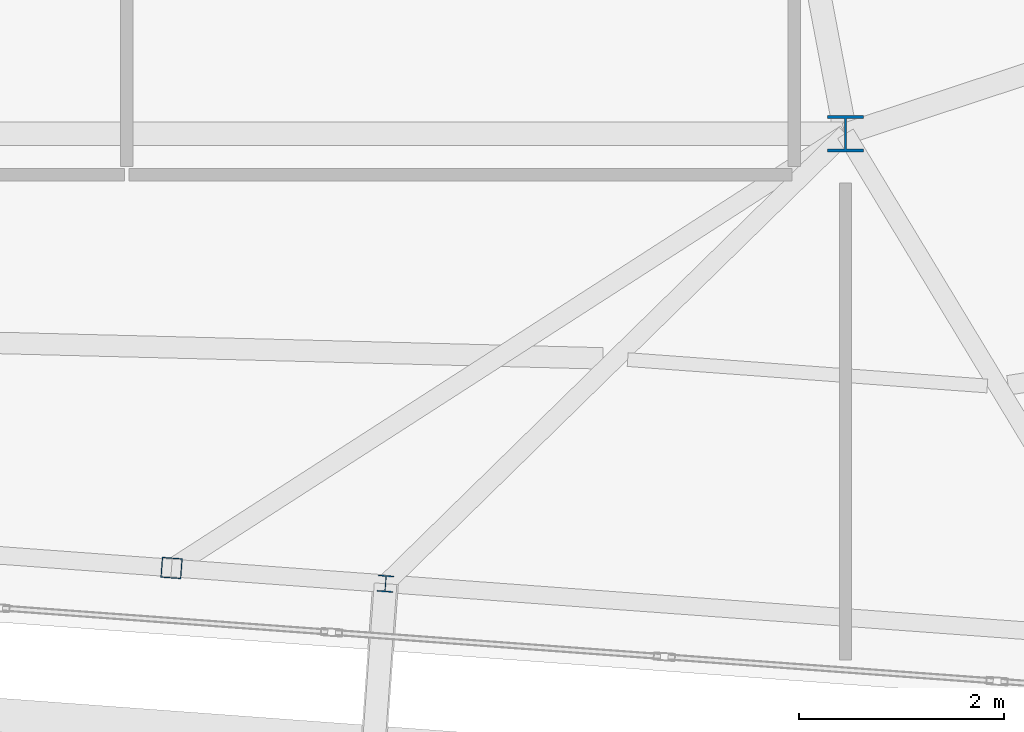
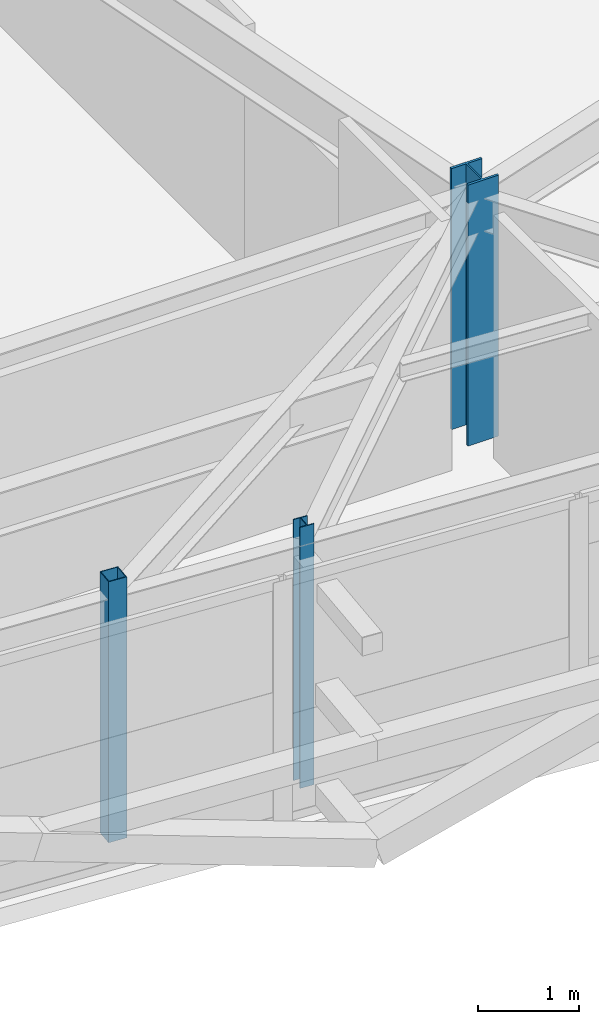
# One storey, part 2 of 42: 3 columns.
"""IFC4 building model written with IfcOpenShell, lengths in metres."""

from ifc_helpers import new_model, si_unit, direction, frame, origin, origin_2d, place, context, subcontext, project, spatial, hollow_rectangle, i_section, extrude, source, transform, mapped, material, material_profile, profile_set, type_object, element, save


model = new_model("IFC4")

# Units and contexts
model_context = context("Model", 3, precision=1e-05, world=origin(), true_north=direction((0.0, 1.0)))
body_context = subcontext(model_context, "Body", "Model", "MODEL_VIEW")
ifc_project = project(units=[si_unit("LENGTHUNIT", "METRE"), si_unit("AREAUNIT", "SQUARE_METRE"), si_unit("VOLUMEUNIT", "CUBIC_METRE"), si_unit("PLANEANGLEUNIT", "RADIAN"), si_unit("MASSUNIT", "GRAM", prefix="KILO")], contexts=[model_context])

# Site, building, storey
site_placement = place(None, origin())
site = spatial("IfcSite", under=ifc_project, at=site_placement, CompositionType="ELEMENT")
building_placement = place(site_placement, origin())
building = spatial("IfcBuilding", under=site, at=building_placement, Name="Taldren Reach Tower", CompositionType="ELEMENT")
storey_placement = place(building_placement, frame((0.0, 0.0, 214.550048828125)))
storey = spatial("IfcBuildingStorey", under=building, at=storey_placement, Name="L65", CompositionType="ELEMENT", Elevation=214.550048828125)

# Columns
ifc_material_1 = material(Name="Steel Gr 350 (350PLUS)", Category="steel")
ifc_material_profile_1 = material_profile(ifc_material_1, i_section(OverallWidth=0.35009765625, OverallDepth=0.35595703125, WebThickness=0.01806640625, FlangeThickness=0.028076171875, at=origin_2d()), Name="350WC197")
ifc_profile_set_1 = profile_set([ifc_material_profile_1], Name="Steel Gr 350 (350PLUS)")
column_type_1 = type_object("IfcColumnType", Name="COL-WC350", PredefinedType="COLUMN", material=ifc_profile_set_1)
shared_shape_1 = source(origin(), body_context, "Body", "SweptSolid", [
    extrude(i_section(OverallWidth=0.35009765625, OverallDepth=0.35595703125, WebThickness=0.01806640625, FlangeThickness=0.028076171875, at=origin_2d()), origin(), (0.0, 0.0, 1.0), 3.14990234375),
])
column_1_placement = place(storey_placement, frame((42.0, 9.199951171875, 0.0), z_axis=(0.0, 0.0, 1.0), x_axis=(1.0, 0.0, 0.0)))
element("IfcColumn", 1, at=column_1_placement, inside=storey, type_object=column_type_1, Name="Mega column MC-PJE L65", PredefinedType="COLUMN", context=body_context, shape_type="MappedRepresentation", body=[
    mapped(shared_shape_1, transform((0.0, 0.0, 0.0), scale=1.0)),
])
ifc_material_2 = material(Name="Steel Gr 350 (C350L0)", Category="steel")
ifc_material_profile_2 = material_profile(ifc_material_2, hollow_rectangle(XDim=0.199951171875, YDim=0.199951171875, WallThickness=0.009033203125, at=origin_2d()), Name="200x200x9.0SHS")
ifc_profile_set_2 = profile_set([ifc_material_profile_2], Name="Steel Gr 350 (C350L0)")
column_type_2 = type_object("IfcColumnType", Name="COL-SHS200", PredefinedType="COLUMN", material=ifc_profile_set_2)
shared_shape_2 = source(origin(), body_context, "Body", "SweptSolid", [
    extrude(hollow_rectangle(XDim=0.199951171875, YDim=0.199951171875, WallThickness=0.009033203125, at=origin_2d()), origin(), (0.0, 0.0, 1.0), 3.14990234375),
])
column_2_placement = place(storey_placement, frame((35.43603515625, 4.9697265625, 0.0), z_axis=(0.0, 0.0, 1.0), x_axis=(0.997314477224, -0.073238197128, 0.0)))
element("IfcColumn", 2, at=column_2_placement, inside=storey, type_object=column_type_2, Name="Block B5 perimeter column PJ2 L65", PredefinedType="COLUMN", context=body_context, shape_type="MappedRepresentation", body=[
    mapped(shared_shape_2, transform((0.0, 0.0, 0.0), scale=1.0)),
])
ifc_material_profile_3 = material_profile(ifc_material_1, i_section(OverallWidth=0.154052734375, OverallDepth=0.162109375, WebThickness=0.008056640625, FlangeThickness=0.011474609375, at=origin_2d()), Name="150UC37.2")
ifc_profile_set_3 = profile_set([ifc_material_profile_3], Name="Steel Gr 350 (350PLUS)")
column_type_3 = type_object("IfcColumnType", Name="COL-UC150", PredefinedType="COLUMN", material=ifc_profile_set_3)
shared_shape_3 = source(origin(), body_context, "Body", "SweptSolid", [
    extrude(i_section(OverallWidth=0.154052734375, OverallDepth=0.162109375, WebThickness=0.008056640625, FlangeThickness=0.011474609375, at=origin_2d()), origin(), (0.0, 0.0, 1.0), 3.14990234375),
])
column_3_placement = place(storey_placement, frame((37.5205078125, 4.81689453125, 0.0), z_axis=(0.0, 0.0, 1.0), x_axis=(0.997314477224, -0.073238197128, 0.0)))
element("IfcColumn", 3, at=column_3_placement, inside=storey, type_object=column_type_3, Name="Block B5 perimeter column S4 L65", PredefinedType="COLUMN", context=body_context, shape_type="MappedRepresentation", body=[
    mapped(shared_shape_3, transform((0.0, 0.0, 0.0), scale=1.0)),
])

save(model, "model.ifc")
